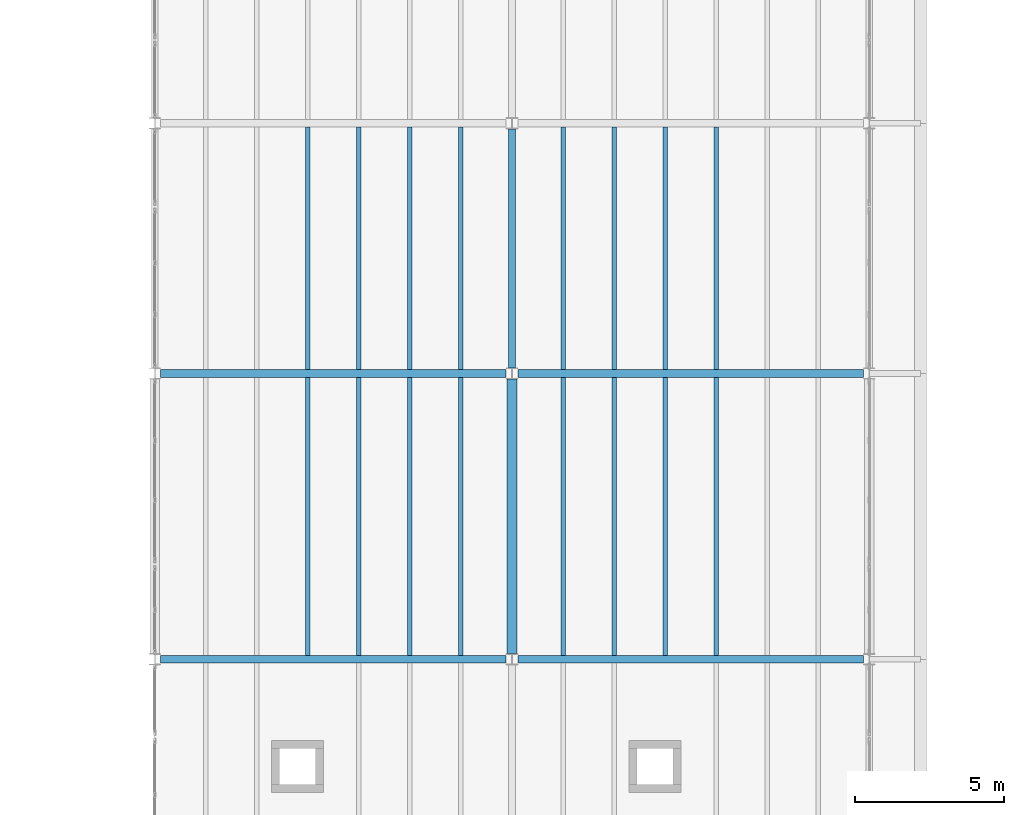
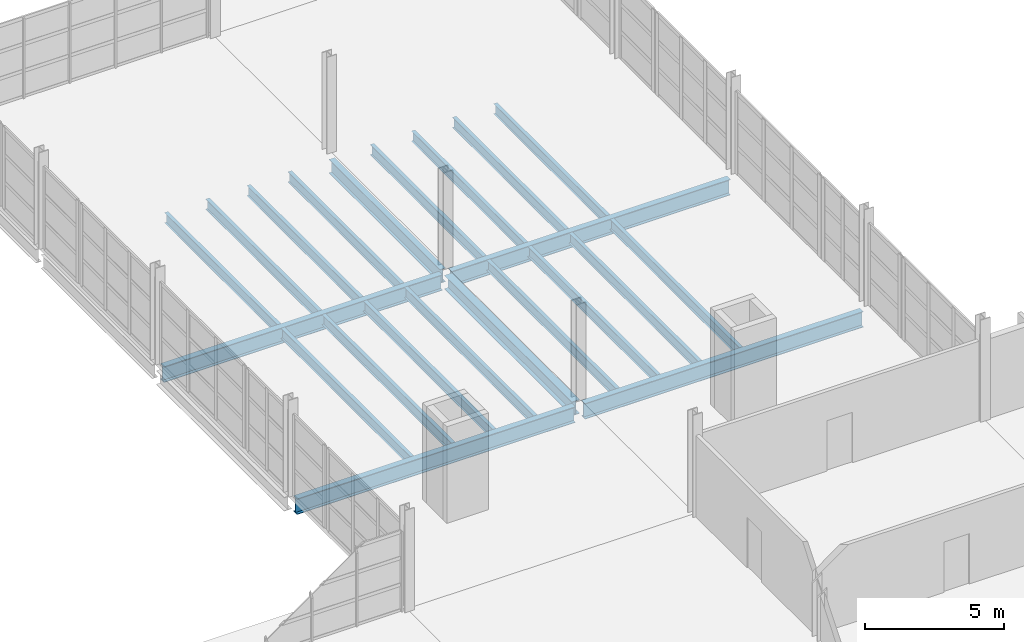
# One storey, part 53 of 114: 22 beams.
"""IFC4 building model written with IfcOpenShell, lengths in metres."""

from ifc_helpers import new_model, si_unit, direction, frame, origin, origin_2d, place, context, subcontext, project, spatial, i_section, extrude, material, material_profile, profile_set, type_object, element, save


model = new_model("IFC4")

# Units and contexts
model_context = context("Model", 3, precision=1e-05, world=origin(), true_north=direction((0.0, 1.0)))
body_context = subcontext(model_context, "Body", "Model", "MODEL_VIEW")
ifc_project = project(units=[si_unit("LENGTHUNIT", "METRE"), si_unit("AREAUNIT", "SQUARE_METRE"), si_unit("VOLUMEUNIT", "CUBIC_METRE"), si_unit("PLANEANGLEUNIT", "RADIAN"), si_unit("MASSUNIT", "GRAM", prefix="KILO")], contexts=[model_context])

# Site, building, storey
site_placement = place(None, origin())
site = spatial("IfcSite", under=ifc_project, at=site_placement, CompositionType="ELEMENT")
building_placement = place(site_placement, origin())
building = spatial("IfcBuilding", under=site, at=building_placement, Name="Kelmvaro Bay Concert Hall", CompositionType="ELEMENT")
storey_placement = place(building_placement, frame((0.0, 0.0, 4.800048828125)))
storey = spatial("IfcBuildingStorey", under=building, at=storey_placement, Name="L01", CompositionType="ELEMENT", Elevation=4.800048828125)

# Beams
ifc_material_1 = material(Name="Steel ASTM A992 Grade 50", Category="steel")
ifc_material_profile_1 = material_profile(ifc_material_1, i_section(OverallWidth=0.152099609375, OverallDepth=0.455078125, WebThickness=0.008056640625, FlangeThickness=0.01318359375, at=origin_2d()), Name="W18X40")
ifc_profile_set_1 = profile_set([ifc_material_profile_1], Name="Steel ASTM A992 Grade 50")
beam_type_1 = type_object("IfcBeamType", Name="Foyer Concourse Floor Joist W18x40", PredefinedType="JOIST", material=ifc_profile_set_1)
for number, where, z_axis, x_axis, name in (
    (1, (113.142822265625, 47.528076171875, -0.4775390625), (0.0, 1.0, 0.0), (-1.0, 0.0, 0.0), "L01 Floor Joist JST-L01-0492"),
    (2, (114.857177734375, 47.528076171875, -0.4775390625), (0.0, 1.0, 0.0), (-1.0, 0.0, 0.0), "L01 Floor Joist JST-L01-0493"),
    (3, (116.5712890625, 47.528076171875, -0.4775390625), (0.0, 1.0, 0.0), (-1.0, 0.0, 0.0), "L01 Floor Joist JST-L01-0494"),
    (4, (118.28564453125, 47.528076171875, -0.4775390625), (0.0, 1.0, 0.0), (-1.0, 0.0, 0.0), "L01 Floor Joist JST-L01-0495"),
    (5, (121.71435546875, 47.528076171875, -0.4775390625), (0.0, 1.0, 0.0), (-1.0, 0.0, 0.0), "L01 Floor Joist JST-L01-0496"),
    (6, (123.4287109375, 47.528076171875, -0.4775390625), (0.0, 1.0, 0.0), (-1.0, 0.0, 0.0), "L01 Floor Joist JST-L01-0497"),
    (7, (125.142822265625, 47.528076171875, -0.4775390625), (0.0, 1.0, 0.0), (-1.0, 0.0, 0.0), "L01 Floor Joist JST-L01-0498"),
    (8, (126.857177734375, 47.528076171875, -0.4775390625), (0.0, 1.0, 0.0), (-1.0, 0.0, 0.0), "L01 Floor Joist JST-L01-0499"),
):
    element("IfcBeam", number, at=place(storey_placement, frame(where, z_axis=z_axis, x_axis=x_axis)), inside=storey, type_object=beam_type_1, Name=name, PredefinedType="JOIST", context=body_context, shape_type="SweptSolid", body=[
        extrude(i_section(OverallWidth=0.152099609375, OverallDepth=0.455078125, WebThickness=0.008056640625, FlangeThickness=0.01318359375, at=origin_2d()), origin(), (0.0, 0.0, 1.0), 9.343994140625),
    ])
for number, where, z_axis, x_axis, name in (
    (9, (113.142822265625, 57.1279296875, -0.4775390625), (0.0, 1.0, 0.0), (-1.0, 0.0, 0.0), "L01 Floor Joist JST-L01-0534"),
    (10, (114.857177734375, 57.1279296875, -0.4775390625), (0.0, 1.0, 0.0), (-1.0, 0.0, 0.0), "L01 Floor Joist JST-L01-0535"),
    (11, (116.5712890625, 57.1279296875, -0.4775390625), (0.0, 1.0, 0.0), (-1.0, 0.0, 0.0), "L01 Floor Joist JST-L01-0536"),
    (12, (118.28564453125, 57.1279296875, -0.4775390625), (0.0, 1.0, 0.0), (-1.0, 0.0, 0.0), "L01 Floor Joist JST-L01-0537"),
    (13, (121.71435546875, 57.1279296875, -0.4775390625), (0.0, 1.0, 0.0), (-1.0, 0.0, 0.0), "L01 Floor Joist JST-L01-0538"),
    (14, (123.4287109375, 57.1279296875, -0.4775390625), (0.0, 1.0, 0.0), (-1.0, 0.0, 0.0), "L01 Floor Joist JST-L01-0539"),
    (15, (125.142822265625, 57.1279296875, -0.4775390625), (0.0, 1.0, 0.0), (-1.0, 0.0, 0.0), "L01 Floor Joist JST-L01-0540"),
    (16, (126.857177734375, 57.1279296875, -0.4775390625), (0.0, 1.0, 0.0), (-1.0, 0.0, 0.0), "L01 Floor Joist JST-L01-0541"),
):
    element("IfcBeam", number, at=place(storey_placement, frame(where, z_axis=z_axis, x_axis=x_axis)), inside=storey, type_object=beam_type_1, Name=name, PredefinedType="JOIST", context=body_context, shape_type="SweptSolid", body=[
        extrude(i_section(OverallWidth=0.152099609375, OverallDepth=0.455078125, WebThickness=0.008056640625, FlangeThickness=0.01318359375, at=origin_2d()), origin(), (0.0, 0.0, 1.0), 8.14404296875),
    ])
ifc_material_2 = material(Name="Steel ASTM A992 Grade 50", Category="steel")
ifc_material_profile_2 = material_profile(ifc_material_2, i_section(OverallWidth=0.323974609375, OverallDepth=0.611083984375, WebThickness=0.0126953125, FlangeThickness=0.01904296875, at=origin_2d()), Name="W24X104")
ifc_profile_set_2 = profile_set([ifc_material_profile_2], Name="Steel ASTM A992 Grade 50")
beam_type_2 = type_object("IfcBeamType", Name="Foyer Frame Girder W24x104", PredefinedType="BEAM", material=ifc_profile_set_2)
beam_1_placement = place(storey_placement, frame((120.0, 47.590576171875, -0.5556640625), z_axis=(0.0, 1.0, 0.0), x_axis=(-1.0, 0.0, 0.0)))
element("IfcBeam", 17, at=beam_1_placement, inside=storey, type_object=beam_type_2, Name="L01 Girder BM-L01-NS-0187", PredefinedType="BEAM", context=body_context, shape_type="SweptSolid", body=[
    extrude(i_section(OverallWidth=0.323974609375, OverallDepth=0.611083984375, WebThickness=0.0126953125, FlangeThickness=0.01904296875, at=origin_2d()), origin(), (0.0, 0.0, 1.0), 9.218994140625),
])
ifc_material_3 = material(Name="Steel ASTM A992 Grade 50", Category="steel")
ifc_material_profile_3 = material_profile(ifc_material_3, i_section(OverallWidth=0.256103515625, OverallDepth=0.693115234375, WebThickness=0.014404296875, FlangeThickness=0.023681640625, at=origin_2d()), Name="W27X114")
ifc_profile_set_3 = profile_set([ifc_material_profile_3], Name="Steel ASTM A992 Grade 50")
beam_type_3 = type_object("IfcBeamType", Name="Foyer Primary Girder W27x114", PredefinedType="BEAM", material=ifc_profile_set_3)
for number, where, z_axis, x_axis, name in (
    (18, (108.197998046875, 47.39990234375, -0.596435546875), (1.0, 0.0, 0.0), (0.0, 1.0, 0.0), "L01 Girder BM-L01-EW-0063"),
    (19, (120.197998046875, 47.39990234375, -0.596435546875), (1.0, 0.0, 0.0), (0.0, 1.0, 0.0), "L01 Girder BM-L01-EW-0064"),
    (20, (108.197998046875, 57.0, -0.596435546875), (1.0, 0.0, 0.0), (0.0, 1.0, 0.0), "L01 Girder BM-L01-EW-0070"),
    (21, (120.197998046875, 57.0, -0.596435546875), (1.0, 0.0, 0.0), (0.0, 1.0, 0.0), "L01 Girder BM-L01-EW-0071"),
):
    element("IfcBeam", number, at=place(storey_placement, frame(where, z_axis=z_axis, x_axis=x_axis)), inside=storey, type_object=beam_type_3, Name=name, PredefinedType="BEAM", context=body_context, shape_type="SweptSolid", body=[
        extrude(i_section(OverallWidth=0.256103515625, OverallDepth=0.693115234375, WebThickness=0.014404296875, FlangeThickness=0.023681640625, at=origin_2d()), origin(), (0.0, 0.0, 1.0), 11.60400390625),
    ])
ifc_material_4 = material(Name="Steel ASTM A992 Grade 50", Category="steel")
ifc_material_profile_4 = material_profile(ifc_material_4, i_section(OverallWidth=0.22900390625, OverallDepth=0.612060546875, WebThickness=0.011962890625, FlangeThickness=0.01953125, at=origin_2d()), Name="W24X84")
ifc_profile_set_4 = profile_set([ifc_material_profile_4], Name="Steel ASTM A992 Grade 50")
beam_type_4 = type_object("IfcBeamType", Name="Terrace Edge Girder W24x84", PredefinedType="BEAM", material=ifc_profile_set_4)
beam_2_placement = place(storey_placement, frame((120.0, 57.1904296875, -0.55615234375), z_axis=(0.0, 1.0, 0.0), x_axis=(-1.0, 0.0, 0.0)))
element("IfcBeam", 22, at=beam_2_placement, inside=storey, type_object=beam_type_4, Name="L01 Girder BM-L01-NS-0188", PredefinedType="BEAM", context=body_context, shape_type="SweptSolid", body=[
    extrude(i_section(OverallWidth=0.22900390625, OverallDepth=0.612060546875, WebThickness=0.011962890625, FlangeThickness=0.01953125, at=origin_2d()), origin(), (0.0, 0.0, 1.0), 8.01904296875),
])

save(model, "model.ifc")
